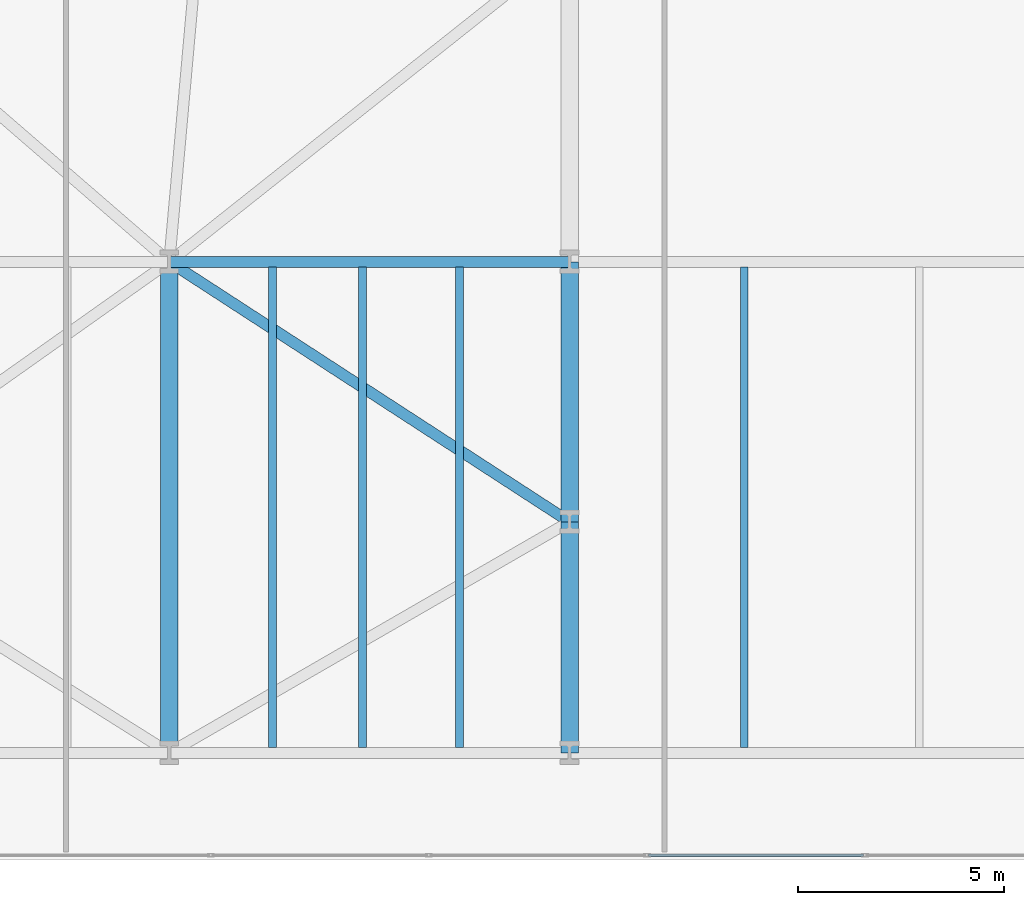
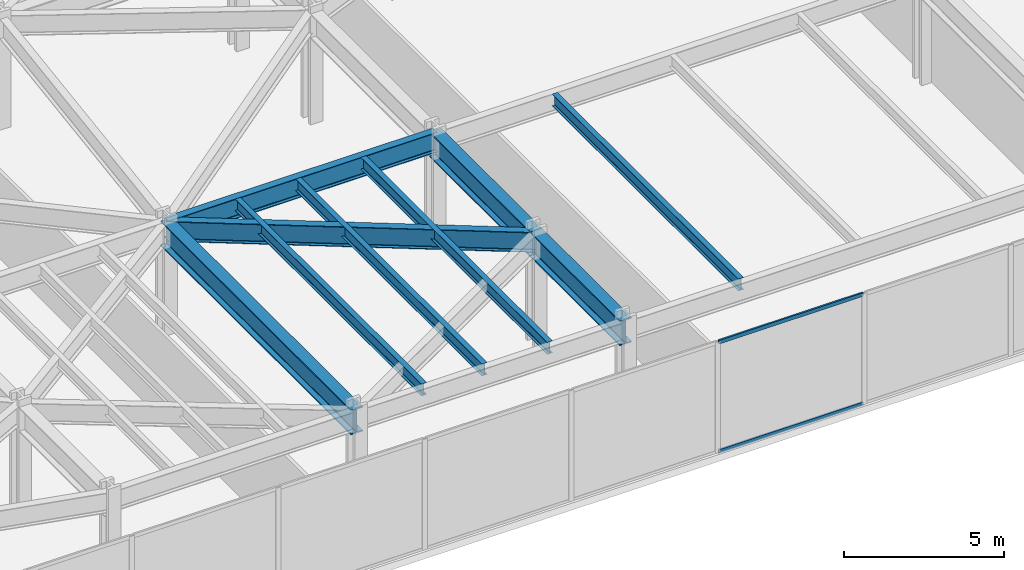
# One storey, part 7 of 28: 9 beams, 2 members, 1 element without a shape of its own.
"""IFC4 building model written with IfcOpenShell, lengths in metres."""

from ifc_helpers import new_model, si_unit, direction, frame, origin, origin_2d, place, context, subcontext, project, spatial, hollow_rectangle, i_section, extrude, material, layer, layer_set, material_profile, profile_set, type_object, element, aggregate, save


model = new_model("IFC4")

# Units and contexts
model_context = context("Model", 3, precision=1e-05, world=origin(), true_north=direction((0.0, 1.0)))
body_context = subcontext(model_context, "Body", "Model", "MODEL_VIEW")
ifc_project = project(units=[si_unit("LENGTHUNIT", "METRE"), si_unit("AREAUNIT", "SQUARE_METRE"), si_unit("VOLUMEUNIT", "CUBIC_METRE"), si_unit("PLANEANGLEUNIT", "RADIAN"), si_unit("MASSUNIT", "GRAM", prefix="KILO")], contexts=[model_context])

# Site, building, storey
site_placement = place(None, origin())
site = spatial("IfcSite", under=ifc_project, at=site_placement, CompositionType="ELEMENT")
building_placement = place(site_placement, origin())
building = spatial("IfcBuilding", under=site, at=building_placement, Name="Kravanh Interchange Tower", CompositionType="ELEMENT")
storey_placement = place(building_placement, frame((0.0, 0.0, 10.800048828125)))
storey = spatial("IfcBuildingStorey", under=building, at=storey_placement, Name="L02", CompositionType="ELEMENT", Elevation=10.800048828125)

# Curtain wall, members
ifc_material_1 = material(Name="Anodised Bronze Aluminium", Category="aluminium")
ifc_layer = layer(ifc_material_1, 0.179931640625)
ifc_layer_set = layer_set([ifc_layer], Name="Unitised Curtain Wall System CW-POD Podium Concourse")
curtain_wall_type = type_object("IfcCurtainWallType", Name="Unitised Curtain Wall System CW-POD Podium Concourse", PredefinedType="NOTDEFINED", material=ifc_layer_set)
curtain_wall_placement = place(storey_placement, origin())
curtain_wall = element("IfcCurtainWall", 1, at=curtain_wall_placement, inside=storey, type_object=curtain_wall_type, Name="L02 Unitised Curtain Wall CW-L02-04", PredefinedType="NOTDEFINED")
ifc_material_2 = material(Name="Anodised Bronze Aluminium", Category="aluminium")
ifc_material_profile_1 = material_profile(ifc_material_2, hollow_rectangle(XDim=0.06005859375, YDim=0.139892578125, WallThickness=0.00390625, at=origin_2d()), Name="ALU60X140X4")
ifc_profile_set_1 = profile_set([ifc_material_profile_1], Name="Anodised Bronze Aluminium")
member_type = type_object("IfcMemberType", Name="Curtain Wall Transom ALU60X140X4 Bronze", PredefinedType="USERDEFINED", material=ifc_profile_set_1)
member_1_placement = place(storey_placement, frame((34.32275390625, 0.1201171875, 0.030029296875), z_axis=(-1.0, 0.0, 0.0), x_axis=(0.0, -1.0, 0.0)))
member_1 = element("IfcMember", 2, at=member_1_placement, type_object=member_type, Name="CW-POD transom 8.1", ObjectType="TRANSOM", PredefinedType="USERDEFINED", context=body_context, shape_type="SweptSolid", body=[
    extrude(hollow_rectangle(XDim=0.06005859375, YDim=0.139892578125, WallThickness=0.00390625, at=origin_2d()), origin(), (0.0, 0.0, 1.0), 5.21484375),
])
member_2_placement = place(storey_placement, frame((34.32275390625, 0.1201171875, 4.199951171875), z_axis=(-1.0, 0.0, 0.0), x_axis=(0.0, -1.0, 0.0)))
member_2 = element("IfcMember", 3, at=member_2_placement, type_object=member_type, Name="CW-POD transom 8.2", ObjectType="TRANSOM", PredefinedType="USERDEFINED", context=body_context, shape_type="SweptSolid", body=[
    extrude(hollow_rectangle(XDim=0.06005859375, YDim=0.139892578125, WallThickness=0.00390625, at=origin_2d()), origin(), (0.0, 0.0, 1.0), 5.21484375),
])
aggregate(curtain_wall, [member_1, member_2])

# Beams
ifc_material_3 = material(Name="Structural Steel S450", Category="steel")
ifc_material_profile_2 = material_profile(ifc_material_3, i_section(OverallWidth=0.423095703125, OverallDepth=0.947998046875, WebThickness=0.02392578125, FlangeThickness=0.042724609375, FilletRadius=0.028076171875, at=origin_2d()), Name="W36X302")
ifc_profile_set_2 = profile_set([ifc_material_profile_2], Name="Structural Steel S450")
beam_type_1 = type_object("IfcBeamType", Name="Floor Beam W36X302 Structural Steel S450", PredefinedType="BEAM", material=ifc_profile_set_2)
beam_1_placement = place(storey_placement, frame((17.5, 2.60009765625, 3.755859375), z_axis=(0.0, 1.0, 0.0), x_axis=(-1.0, 0.0, 0.0)))
element("IfcBeam", 4, at=beam_1_placement, inside=storey, type_object=beam_type_1, Name="L02 Primary Floor Girder 7", PredefinedType="BEAM", context=body_context, shape_type="SweptSolid", body=[
    extrude(i_section(OverallWidth=0.423095703125, OverallDepth=0.947998046875, WebThickness=0.02392578125, FlangeThickness=0.042724609375, FilletRadius=0.028076171875, at=origin_2d()), origin(), (0.0, 0.0, 1.0), 11.89990234375),
])
beam_2_placement = place(storey_placement, frame((27.199951171875, 2.60009765625, 3.755859375), z_axis=(0.0, 1.0, 0.0), x_axis=(-1.0, 0.0, 0.0)))
element("IfcBeam", 5, at=beam_2_placement, inside=storey, type_object=beam_type_1, Name="L02 Primary Floor Girder 8", PredefinedType="BEAM", context=body_context, shape_type="SweptSolid", body=[
    extrude(i_section(OverallWidth=0.423095703125, OverallDepth=0.947998046875, WebThickness=0.02392578125, FlangeThickness=0.042724609375, FilletRadius=0.028076171875, at=origin_2d()), origin(), (0.0, 0.0, 1.0), 5.599853515625),
])
beam_3_placement = place(storey_placement, frame((27.199951171875, 8.199951171875, 3.755859375), z_axis=(0.0, 1.0, 0.0), x_axis=(-1.0, 0.0, 0.0)))
element("IfcBeam", 6, at=beam_3_placement, inside=storey, type_object=beam_type_1, Name="L02 Primary Floor Girder 27", PredefinedType="BEAM", context=body_context, shape_type="SweptSolid", body=[
    extrude(i_section(OverallWidth=0.423095703125, OverallDepth=0.947998046875, WebThickness=0.02392578125, FlangeThickness=0.042724609375, FilletRadius=0.028076171875, at=origin_2d()), origin(), (0.0, 0.0, 1.0), 6.300048828125),
])
ifc_material_4 = material(Name="Structural Steel S355", Category="steel")
ifc_material_profile_3 = material_profile(ifc_material_4, i_section(OverallWidth=0.18994140625, OverallDepth=0.45703125, WebThickness=0.009033203125, FlangeThickness=0.014404296875, FilletRadius=0.01806640625, at=origin_2d()), Name="W18X50")
ifc_profile_set_3 = profile_set([ifc_material_profile_3], Name="Structural Steel S355")
beam_type_2 = type_object("IfcBeamType", Name="Floor Joist W18X50 Structural Steel S355", PredefinedType="JOIST", material=ifc_profile_set_3)
for number, where, z_axis, x_axis, name in (
    (7, (19.998046875, 2.728515625, 4.00146484375), (0.0, 1.0, 0.0), (-1.0, 0.0, 0.0), "L02 Secondary Floor Joist 4"),
    (8, (22.181884765625, 2.728515625, 4.00146484375), (0.0, 1.0, 0.0), (-1.0, 0.0, 0.0), "L02 Secondary Floor Joist 5"),
    (9, (24.533935546875, 2.728515625, 4.00146484375), (0.0, 1.0, 0.0), (-1.0, 0.0, 0.0), "L02 Secondary Floor Joist 6"),
    (10, (31.43603515625, 2.728515625, 4.00146484375), (0.0, 1.0, 0.0), (-1.0, 0.0, 0.0), "L02 Secondary Floor Joist 7"),
):
    element("IfcBeam", number, at=place(storey_placement, frame(where, z_axis=z_axis, x_axis=x_axis)), inside=storey, type_object=beam_type_2, Name=name, PredefinedType="JOIST", context=body_context, shape_type="SweptSolid", body=[
        extrude(i_section(OverallWidth=0.18994140625, OverallDepth=0.45703125, WebThickness=0.009033203125, FlangeThickness=0.014404296875, FilletRadius=0.01806640625, at=origin_2d()), origin(), (0.0, 0.0, 1.0), 11.64306640625),
    ])
ifc_material_5 = material(Name="Structural Steel S355", Category="steel")
ifc_material_profile_4 = material_profile(ifc_material_5, i_section(OverallWidth=0.26708984375, OverallDepth=0.761962890625, WebThickness=0.014404296875, FlangeThickness=0.021484375, FilletRadius=0.02490234375, at=origin_2d()), Name="W30X116")
ifc_profile_set_4 = profile_set([ifc_material_profile_4], Name="Structural Steel S355")
beam_type_3 = type_object("IfcBeamType", Name="Floor Spandrel W30X116 Structural Steel S355", PredefinedType="SPANDREL", material=ifc_profile_set_4)
beam_4_placement = place(storey_placement, frame((27.199951171875, 8.199951171875, 3.848876953125), z_axis=(-0.838637911458, 0.544689318295, 0.0), x_axis=(-0.544689318295, -0.838637911458, 0.0)))
element("IfcBeam", 11, at=beam_4_placement, inside=storey, type_object=beam_type_3, Name="L02 Perimeter Spandrel 28", PredefinedType="SPANDREL", context=body_context, shape_type="SweptSolid", body=[
    extrude(i_section(OverallWidth=0.26708984375, OverallDepth=0.761962890625, WebThickness=0.014404296875, FlangeThickness=0.021484375, FilletRadius=0.02490234375, at=origin_2d()), origin(), (0.0, 0.0, 1.0), 11.56640625),
])
beam_5_placement = place(storey_placement, frame((17.5, 14.5, 3.848876953125), z_axis=(1.0, 0.0, 0.0), x_axis=(0.0, 1.0, 0.0)))
element("IfcBeam", 12, at=beam_5_placement, inside=storey, type_object=beam_type_3, Name="L02 Perimeter Spandrel 41", PredefinedType="SPANDREL", context=body_context, shape_type="SweptSolid", body=[
    extrude(i_section(OverallWidth=0.26708984375, OverallDepth=0.761962890625, WebThickness=0.014404296875, FlangeThickness=0.021484375, FilletRadius=0.02490234375, at=origin_2d()), origin(), (0.0, 0.0, 1.0), 9.699951171875),
])

save(model, "model.ifc")
